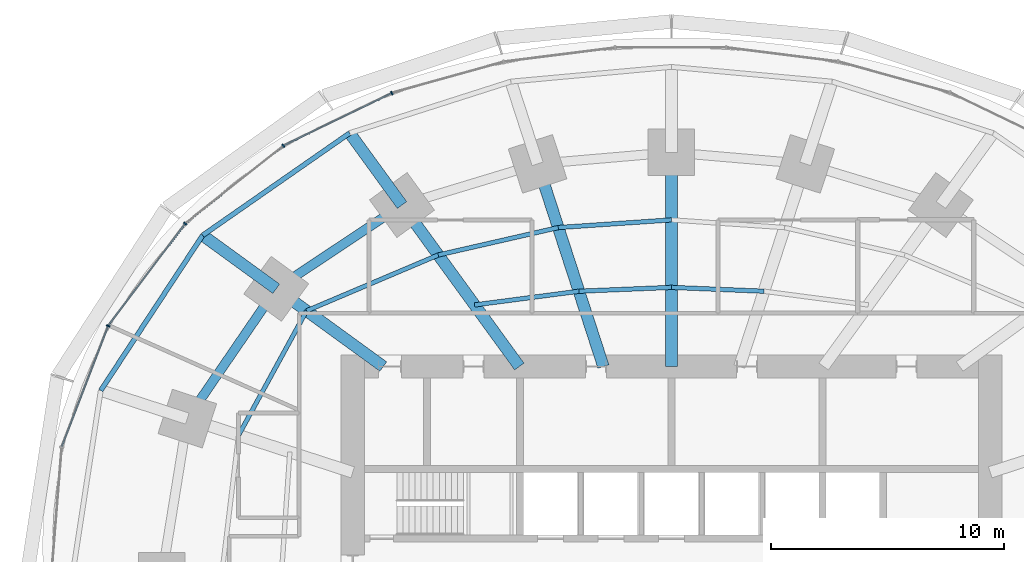
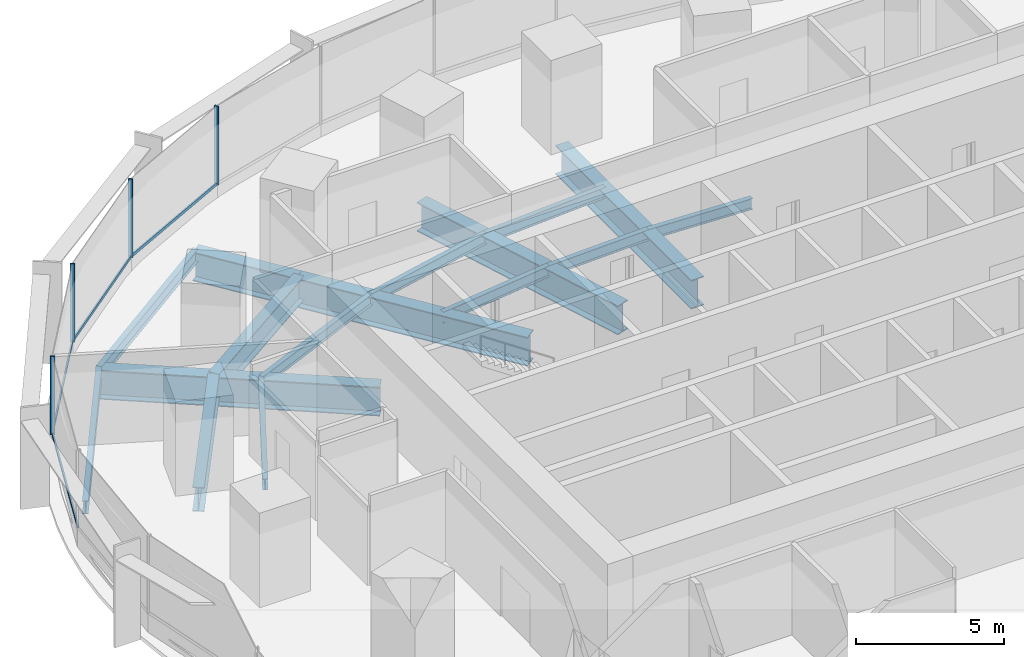
# One storey, part 7 of 15: 17 beams, 8 members, 1 element without a shape of its own.
"""IFC4 building model written with IfcOpenShell, lengths in metres."""

from ifc_helpers import new_model, si_unit, direction, frame, origin, origin_2d, place, context, subcontext, project, spatial, rectangle, i_section, extrude, material, material_profile, profile_set, type_object, element, aggregate, save


model = new_model("IFC4")

# Units and contexts
model_context = context("Model", 3, precision=1e-05, world=origin(), true_north=direction((0.0, 1.0)))
body_context = subcontext(model_context, "Body", "Model", "MODEL_VIEW")
ifc_project = project(units=[si_unit("LENGTHUNIT", "METRE"), si_unit("AREAUNIT", "SQUARE_METRE"), si_unit("VOLUMEUNIT", "CUBIC_METRE"), si_unit("PLANEANGLEUNIT", "RADIAN"), si_unit("MASSUNIT", "GRAM", prefix="KILO")], contexts=[model_context])

# Site, building, storey
site_placement = place(None, origin())
site = spatial("IfcSite", under=ifc_project, at=site_placement, CompositionType="ELEMENT")
building_placement = place(site_placement, origin())
building = spatial("IfcBuilding", under=site, at=building_placement, Name="Marramba Exchange Tower", CompositionType="ELEMENT")
storey_placement = place(building_placement, frame((0.0, 0.0, 36.39990234375)))
storey = spatial("IfcBuildingStorey", under=building, at=storey_placement, Name="L08", CompositionType="ELEMENT", Elevation=36.39990234375)

# Beams
ifc_material_1 = material(Name="Steel AS/NZS 3679.2 grade 300", Category="steel")
ifc_material_profile_1 = material_profile(ifc_material_1, i_section(OverallWidth=0.5, OverallDepth=1.199951171875, WebThickness=0.01611328125, FlangeThickness=0.0400390625, at=origin_2d()), Name="1200WB455")
ifc_profile_set_1 = profile_set([ifc_material_profile_1], Name="Steel AS/NZS 3679.2 grade 300")
beam_type_1 = type_object("IfcBeamType", Name="Cantilever girder 1200WB455", PredefinedType="BEAM", material=ifc_profile_set_1)
beam_1_placement = place(storey_placement, frame((-11.581298828125, 15.9404296875, -0.760009765625), z_axis=(-0.587795827483, 0.809009310944, 0.0), x_axis=(-0.809009310944, -0.587795827483, 0.0)))
element("IfcBeam", 1, at=beam_1_placement, inside=storey, type_object=beam_type_1, Name="Cantilever girder L08 TC08", PredefinedType="BEAM", context=body_context, shape_type="SweptSolid", body=[
    extrude(i_section(OverallWidth=0.5, OverallDepth=1.199951171875, WebThickness=0.01611328125, FlangeThickness=0.0400390625, at=origin_2d()), origin(), (0.0, 0.0, 1.0), 3.82421875),
])
beam_2_placement = place(storey_placement, frame((-16.98583984375, 12.3408203125, -0.760009765625), z_axis=(-0.808987260856, 0.587826174793, 0.0), x_axis=(-0.587826174793, -0.808987260856, 0.0)))
element("IfcBeam", 2, at=beam_2_placement, inside=storey, type_object=beam_type_1, Name="Cantilever girder L08 TC09", PredefinedType="BEAM", context=body_context, shape_type="SweptSolid", body=[
    extrude(i_section(OverallWidth=0.5, OverallDepth=1.199951171875, WebThickness=0.01611328125, FlangeThickness=0.0400390625, at=origin_2d()), origin(), (0.0, 0.0, 1.0), 3.90771484375),
])
ifc_material_2 = material(Name="Steel AS/NZS 3679.1 grade 300", Category="steel")
ifc_material_profile_2 = material_profile(ifc_material_2, i_section(OverallWidth=0.18994140625, OverallDepth=0.4541015625, WebThickness=0.008544921875, FlangeThickness=0.0126953125, FilletRadius=0.011474609375, at=origin_2d()), Name="460UB67.1")
ifc_profile_set_2 = profile_set([ifc_material_profile_2], Name="Steel AS/NZS 3679.1 grade 300")
beam_type_2 = type_object("IfcBeamType", Name="Floor joist 460UB67.1", PredefinedType="JOIST", material=ifc_profile_set_2)
for number, where, z_axis, x_axis, name in (
    (3, (3.975830078125, 12.236083984375, -0.386962890625), (-0.999137002892, 0.041536122257, 0.0), (-0.041536122257, -0.999137002892, 0.0), "Joist L08 bay 05 row 1"),
    (4, (0.0, 12.4013671875, -0.386962890625), (-0.999137002892, -0.041536122257, 0.0), (0.041536122257, -0.999137002892, 0.0), "Joist L08 bay 06 row 1"),
):
    element("IfcBeam", number, at=place(storey_placement, frame(where, z_axis=z_axis, x_axis=x_axis)), inside=storey, type_object=beam_type_2, Name=name, PredefinedType="JOIST", context=body_context, shape_type="SweptSolid", body=[
        extrude(i_section(OverallWidth=0.18994140625, OverallDepth=0.4541015625, WebThickness=0.008544921875, FlangeThickness=0.0126953125, FilletRadius=0.011474609375, at=origin_2d()), origin(), (0.0, 0.0, 1.0), 3.979248046875),
    ])
beam_3_placement = place(storey_placement, frame((0.0, 15.302734375, -0.386962890625), z_axis=(-0.997702652202, -0.067745241816, 0.0), x_axis=(0.067745241816, -0.997702652202, 0.0)))
element("IfcBeam", 5, at=beam_3_placement, inside=storey, type_object=beam_type_2, Name="Joist L08 bay 06 row 2", PredefinedType="JOIST", context=body_context, shape_type="SweptSolid", body=[
    extrude(i_section(OverallWidth=0.18994140625, OverallDepth=0.4541015625, WebThickness=0.008544921875, FlangeThickness=0.0126953125, FilletRadius=0.011474609375, at=origin_2d()), origin(), (0.0, 0.0, 1.0), 4.8759765625),
])
beam_4_placement = place(storey_placement, frame((-3.975830078125, 12.236083984375, -0.386962890625), z_axis=(-0.991480538255, -0.130254912618, 0.0), x_axis=(0.130254912618, -0.991480538255, 0.0)))
element("IfcBeam", 6, at=beam_4_placement, inside=storey, type_object=beam_type_2, Name="Joist L08 bay 07 row 1", PredefinedType="JOIST", context=body_context, shape_type="SweptSolid", body=[
    extrude(i_section(OverallWidth=0.18994140625, OverallDepth=0.4541015625, WebThickness=0.008544921875, FlangeThickness=0.0126953125, FilletRadius=0.011474609375, at=origin_2d()), origin(), (0.0, 0.0, 1.0), 4.524658203125),
])
beam_5_placement = place(storey_placement, frame((-4.86474609375, 14.972412109375, -0.386962890625), z_axis=(-0.974859652292, -0.222819788916, 0.0), x_axis=(0.222819788916, -0.974859652292, 0.0)))
element("IfcBeam", 7, at=beam_5_placement, inside=storey, type_object=beam_type_2, Name="Joist L08 bay 07 row 2", PredefinedType="JOIST", context=body_context, shape_type="SweptSolid", body=[
    extrude(i_section(OverallWidth=0.18994140625, OverallDepth=0.4541015625, WebThickness=0.008544921875, FlangeThickness=0.0126953125, FilletRadius=0.011474609375, at=origin_2d()), origin(), (0.0, 0.0, 1.0), 5.2900390625),
])
beam_6_placement = place(storey_placement, frame((-10.021728515625, 13.793701171875, -0.386962890625), z_axis=(-0.920674336375, -0.390331610738, 0.0), x_axis=(0.390331610738, -0.920674336375, 0.0)))
element("IfcBeam", 8, at=beam_6_placement, inside=storey, type_object=beam_type_2, Name="Joist L08 bay 08 row 2", PredefinedType="JOIST", context=body_context, shape_type="SweptSolid", body=[
    extrude(i_section(OverallWidth=0.18994140625, OverallDepth=0.4541015625, WebThickness=0.008544921875, FlangeThickness=0.0126953125, FilletRadius=0.011474609375, at=origin_2d()), origin(), (0.0, 0.0, 1.0), 6.1484375),
])
beam_7_placement = place(storey_placement, frame((-15.682373046875, 11.393798828125, -0.386962890625), z_axis=(-0.479584443791, -0.877495732909, 0.0), x_axis=(0.877495732909, -0.479584443791, 0.0)))
element("IfcBeam", 9, at=beam_7_placement, inside=storey, type_object=beam_type_2, Name="Joist L08 bay 09 row 2", PredefinedType="JOIST", context=body_context, shape_type="SweptSolid", body=[
    extrude(i_section(OverallWidth=0.18994140625, OverallDepth=0.4541015625, WebThickness=0.008544921875, FlangeThickness=0.0126953125, FilletRadius=0.011474609375, at=origin_2d()), origin(), (0.0, 0.0, 1.0), 6.094970703125),
])
ifc_material_profile_3 = material_profile(ifc_material_1, i_section(OverallWidth=0.5, OverallDepth=1.199951171875, WebThickness=0.01611328125, FlangeThickness=0.0400390625, at=origin_2d()), Name="1200WB455")
ifc_profile_set_3 = profile_set([ifc_material_profile_3], Name="Steel AS/NZS 3679.2 grade 300")
beam_type_3 = type_object("IfcBeamType", Name="Radial girder 1200WB455", PredefinedType="BEAM", material=ifc_profile_set_3)
beam_8_placement = place(storey_placement, frame((0.0, 9.0, -0.760009765625), z_axis=(0.0, 1.0, 0.0), x_axis=(-1.0, 0.0, 0.0)))
element("IfcBeam", 10, at=beam_8_placement, inside=storey, type_object=beam_type_3, Name="Radial girder L08 TC06", PredefinedType="BEAM", context=body_context, shape_type="SweptSolid", body=[
    extrude(i_section(OverallWidth=0.5, OverallDepth=1.199951171875, WebThickness=0.01611328125, FlangeThickness=0.0400390625, at=origin_2d()), origin(), (0.0, 0.0, 1.0), 9.2041015625),
])
beam_9_placement = place(storey_placement, frame((-2.92431640625, 9.0, -0.760009765625), z_axis=(-0.309019754162, 0.951055619582, 0.0), x_axis=(-0.951055619582, -0.309019754162, 0.0)))
element("IfcBeam", 11, at=beam_9_placement, inside=storey, type_object=beam_type_3, Name="Radial girder L08 TC07", PredefinedType="BEAM", context=body_context, shape_type="SweptSolid", body=[
    extrude(i_section(OverallWidth=0.5, OverallDepth=1.199951171875, WebThickness=0.01611328125, FlangeThickness=0.0400390625, at=origin_2d()), origin(), (0.0, 0.0, 1.0), 9.15673828125),
])
beam_10_placement = place(storey_placement, frame((-6.538818359375, 9.0, -0.760009765625), z_axis=(-0.587782439969, 0.80901903764, 0.0), x_axis=(-0.80901903764, -0.587782439969, 0.0)))
element("IfcBeam", 12, at=beam_10_placement, inside=storey, type_object=beam_type_3, Name="Radial girder L08 TC08", PredefinedType="BEAM", context=body_context, shape_type="SweptSolid", body=[
    extrude(i_section(OverallWidth=0.5, OverallDepth=1.199951171875, WebThickness=0.01611328125, FlangeThickness=0.0400390625, at=origin_2d()), origin(), (0.0, 0.0, 1.0), 8.578857421875),
])
beam_11_placement = place(storey_placement, frame((-12.387451171875, 9.0, -0.760009765625), z_axis=(-0.809025746925, 0.587773205252, 0.0), x_axis=(-0.587773205252, -0.809025746925, 0.0)))
element("IfcBeam", 13, at=beam_11_placement, inside=storey, type_object=beam_type_3, Name="Radial girder L08 TC09", PredefinedType="BEAM", context=body_context, shape_type="SweptSolid", body=[
    extrude(i_section(OverallWidth=0.5, OverallDepth=1.199951171875, WebThickness=0.01611328125, FlangeThickness=0.0400390625, at=origin_2d()), origin(), (0.0, 0.0, 1.0), 5.683837890625),
])
ifc_material_profile_4 = material_profile(ifc_material_1, i_section(OverallWidth=0.39990234375, OverallDepth=1.0, WebThickness=0.01611328125, FlangeThickness=0.031982421875, at=origin_2d()), Name="1000WB322")
ifc_profile_set_4 = profile_set([ifc_material_profile_4], Name="Steel AS/NZS 3679.2 grade 300")
beam_type_4 = type_object("IfcBeamType", Name="Ring beam 1000WB322", PredefinedType="SPANDREL", material=ifc_profile_set_4)
beam_12_placement = place(storey_placement, frame((-11.581298828125, 15.9404296875, -0.659912109375), z_axis=(-0.832293151443, -0.554335737673, 0.0), x_axis=(0.554335737673, -0.832293151443, 0.0)))
element("IfcBeam", 14, at=beam_12_placement, inside=storey, type_object=beam_type_4, Name="Ring beam L08 TC08-TC09", PredefinedType="SPANDREL", context=body_context, shape_type="SweptSolid", body=[
    extrude(i_section(OverallWidth=0.39990234375, OverallDepth=1.0, WebThickness=0.01611328125, FlangeThickness=0.031982421875, at=origin_2d()), origin(), (0.0, 0.0, 1.0), 6.49365234375),
])
beam_13_placement = place(storey_placement, frame((-16.98583984375, 12.3408203125, -0.659912109375), z_axis=(-0.56516002054, -0.824981303535, 0.0), x_axis=(0.824981303535, -0.56516002054, 0.0)))
element("IfcBeam", 15, at=beam_13_placement, inside=storey, type_object=beam_type_4, Name="Ring beam L08 TC09-TC10", PredefinedType="SPANDREL", context=body_context, shape_type="SweptSolid", body=[
    extrude(i_section(OverallWidth=0.39990234375, OverallDepth=1.0, WebThickness=0.01611328125, FlangeThickness=0.031982421875, at=origin_2d()), origin(), (0.0, 0.0, 1.0), 6.763671875),
])
ifc_material_profile_5 = material_profile(ifc_material_2, i_section(OverallWidth=0.208984375, OverallDepth=0.528076171875, WebThickness=0.009521484375, FlangeThickness=0.01318359375, FilletRadius=0.013916015625, at=origin_2d()), Name="530UB82.0")
ifc_profile_set_5 = profile_set([ifc_material_profile_5], Name="Steel AS/NZS 3679.1 grade 300")
beam_type_5 = type_object("IfcBeamType", Name="Slab edge beam 530UB82.0", PredefinedType="SPANDREL", material=ifc_profile_set_5)
beam_14_placement = place(storey_placement, frame((-13.8291015625, 19.0341796875, -0.423828125), z_axis=(-0.820842487183, -0.571154629882, 0.0), x_axis=(0.571154629882, -0.820842487183, 0.0)))
element("IfcBeam", 16, at=beam_14_placement, inside=storey, type_object=beam_type_5, Name="Slab edge beam L08 TC08-TC09", PredefinedType="SPANDREL", context=body_context, shape_type="SweptSolid", body=[
    extrude(i_section(OverallWidth=0.208984375, OverallDepth=0.528076171875, WebThickness=0.009521484375, FlangeThickness=0.01318359375, FilletRadius=0.013916015625, at=origin_2d()), origin(), (0.0, 0.0, 1.0), 7.697021484375),
])
beam_15_placement = place(storey_placement, frame((-20.147216796875, 14.637939453125, -0.423828125), z_axis=(-0.549123544095, -0.835741188001, 0.0), x_axis=(0.835741188001, -0.549123544095, 0.0)))
element("IfcBeam", 17, at=beam_15_placement, inside=storey, type_object=beam_type_5, Name="Slab edge beam L08 TC09-TC10", PredefinedType="SPANDREL", context=body_context, shape_type="SweptSolid", body=[
    extrude(i_section(OverallWidth=0.208984375, OverallDepth=0.528076171875, WebThickness=0.009521484375, FlangeThickness=0.01318359375, FilletRadius=0.013916015625, at=origin_2d()), origin(), (0.0, 0.0, 1.0), 7.978759765625),
])

# Curtain wall, members
ifc_material_3 = material(Name="Aluminium framing, bronze anodised", Category="aluminium")
curtain_wall_type = type_object("IfcCurtainWallType", Name="Trading floor ribbon curtain wall", PredefinedType="USERDEFINED", material=ifc_material_3)
curtain_wall_placement = place(storey_placement, origin())
curtain_wall = element("IfcCurtainWall", 18, at=curtain_wall_placement, inside=storey, type_object=curtain_wall_type, Name="Curtain wall CW3 L08 F11-F15", ObjectType="RIBBON CURTAIN WALL", PredefinedType="USERDEFINED")
ifc_material_4 = material(Name="Aluminium mullion, bronze anodised", Category="aluminium")
ifc_material_profile_6 = material_profile(ifc_material_4, rectangle(XDim=0.159912109375, YDim=0.06005859375, at=origin_2d()), Name="CW3 mullion 60x160")
ifc_profile_set_6 = profile_set([ifc_material_profile_6], Name="Aluminium mullion, bronze anodised")
member_type_1 = type_object("IfcMemberType", Name="Trading floor ribbon curtain wall mullion", PredefinedType="MULLION", material=ifc_profile_set_6)
member_1_placement = place(storey_placement, frame((-12.016357421875, 20.7529296875, 0.800048828125), z_axis=(0.0, 0.0, 1.0), x_axis=(0.43596538664, -0.899963433508, 0.0)))
member_1 = element("IfcMember", 19, at=member_1_placement, type_object=member_type_1, Name="CW3 mullion 1", PredefinedType="MULLION", context=body_context, shape_type="SweptSolid", body=[
    extrude(rectangle(XDim=0.159912109375, YDim=0.06005859375, at=origin_2d()), origin(), (0.0, 0.0, 1.0), 3.239990234375),
])
member_2_placement = place(storey_placement, frame((-16.683837890625, 18.484619140625, 0.800048828125), z_axis=(0.0, 0.0, 1.0), x_axis=(0.620649730166, -0.784087949432, 0.0)))
member_2 = element("IfcMember", 20, at=member_2_placement, type_object=member_type_1, Name="CW3 mullion 1", PredefinedType="MULLION", context=body_context, shape_type="SweptSolid", body=[
    extrude(rectangle(XDim=0.159912109375, YDim=0.06005859375, at=origin_2d()), origin(), (0.0, 0.0, 1.0), 3.239990234375),
])
member_3_placement = place(storey_placement, frame((-20.8935546875, 15.142822265625, 0.800048828125), z_axis=(0.0, 0.0, 1.0), x_axis=(0.797748922445, -0.602989765036, 0.0)))
member_3 = element("IfcMember", 21, at=member_3_placement, type_object=member_type_1, Name="CW3 mullion 1", PredefinedType="MULLION", context=body_context, shape_type="SweptSolid", body=[
    extrude(rectangle(XDim=0.159912109375, YDim=0.06005859375, at=origin_2d()), origin(), (0.0, 0.0, 1.0), 3.239990234375),
])
member_4_placement = place(storey_placement, frame((-24.207275390625, 10.7451171875, 0.800048828125), z_axis=(0.0, 0.0, 1.0), x_axis=(0.933135256626, -0.359525510698, 0.0)))
member_4 = element("IfcMember", 22, at=member_4_placement, type_object=member_type_1, Name="CW3 mullion 1", PredefinedType="MULLION", context=body_context, shape_type="SweptSolid", body=[
    extrude(rectangle(XDim=0.159912109375, YDim=0.06005859375, at=origin_2d()), origin(), (0.0, 0.0, 1.0), 3.239990234375),
])
ifc_material_5 = material(Name="Aluminium transom, bronze anodised", Category="aluminium")
ifc_material_profile_7 = material_profile(ifc_material_5, rectangle(XDim=0.06005859375, YDim=0.1201171875, at=origin_2d()), Name="CW3 transom 60x120")
ifc_profile_set_7 = profile_set([ifc_material_profile_7], Name="Aluminium transom, bronze anodised")
member_type_2 = type_object("IfcMemberType", Name="Trading floor ribbon curtain wall transom", PredefinedType="USERDEFINED", material=ifc_profile_set_7)
member_5_placement = place(storey_placement, frame((-12.043212890625, 20.739990234375, 0.830078125), z_axis=(-0.89995331781, -0.43598626786, 0.0), x_axis=(0.43598626786, -0.89995331781, 0.0)))
member_5 = element("IfcMember", 23, at=member_5_placement, type_object=member_type_2, Name="CW3 sill transom", ObjectType="TRANSOM", PredefinedType="USERDEFINED", context=body_context, shape_type="SweptSolid", body=[
    extrude(rectangle(XDim=0.06005859375, YDim=0.1201171875, at=origin_2d()), origin(), (0.0, 0.0, 1.0), 5.13037109375),
])
member_6_placement = place(storey_placement, frame((-16.70751953125, 18.466064453125, 0.830078125), z_axis=(-0.784075625018, -0.620665299701, 0.0), x_axis=(0.620665299701, -0.784075625018, 0.0)))
member_6 = element("IfcMember", 24, at=member_6_placement, type_object=member_type_2, Name="CW3 sill transom", ObjectType="TRANSOM", PredefinedType="USERDEFINED", context=body_context, shape_type="SweptSolid", body=[
    extrude(rectangle(XDim=0.06005859375, YDim=0.1201171875, at=origin_2d()), origin(), (0.0, 0.0, 1.0), 5.315673828125),
])
member_7_placement = place(storey_placement, frame((-20.91162109375, 15.118896484375, 0.830078125), z_axis=(-0.602985866158, -0.797751869452, 0.0), x_axis=(0.797751869452, -0.602985866158, 0.0)))
member_7 = element("IfcMember", 25, at=member_7_placement, type_object=member_type_2, Name="CW3 sill transom", ObjectType="TRANSOM", PredefinedType="USERDEFINED", context=body_context, shape_type="SweptSolid", body=[
    extrude(rectangle(XDim=0.06005859375, YDim=0.1201171875, at=origin_2d()), origin(), (0.0, 0.0, 1.0), 5.44775390625),
])
member_8_placement = place(storey_placement, frame((-24.218017578125, 10.717041015625, 0.830078125), z_axis=(-0.359533581349, -0.933132147063, 0.0), x_axis=(0.933132147063, -0.359533581349, 0.0)))
member_8 = element("IfcMember", 26, at=member_8_placement, type_object=member_type_2, Name="CW3 sill transom", ObjectType="TRANSOM", PredefinedType="USERDEFINED", context=body_context, shape_type="SweptSolid", body=[
    extrude(rectangle(XDim=0.06005859375, YDim=0.1201171875, at=origin_2d()), origin(), (0.0, 0.0, 1.0), 5.5166015625),
])
aggregate(curtain_wall, [member_1, member_5, member_2, member_6, member_3, member_7, member_4, member_8])

save(model, "model.ifc")
